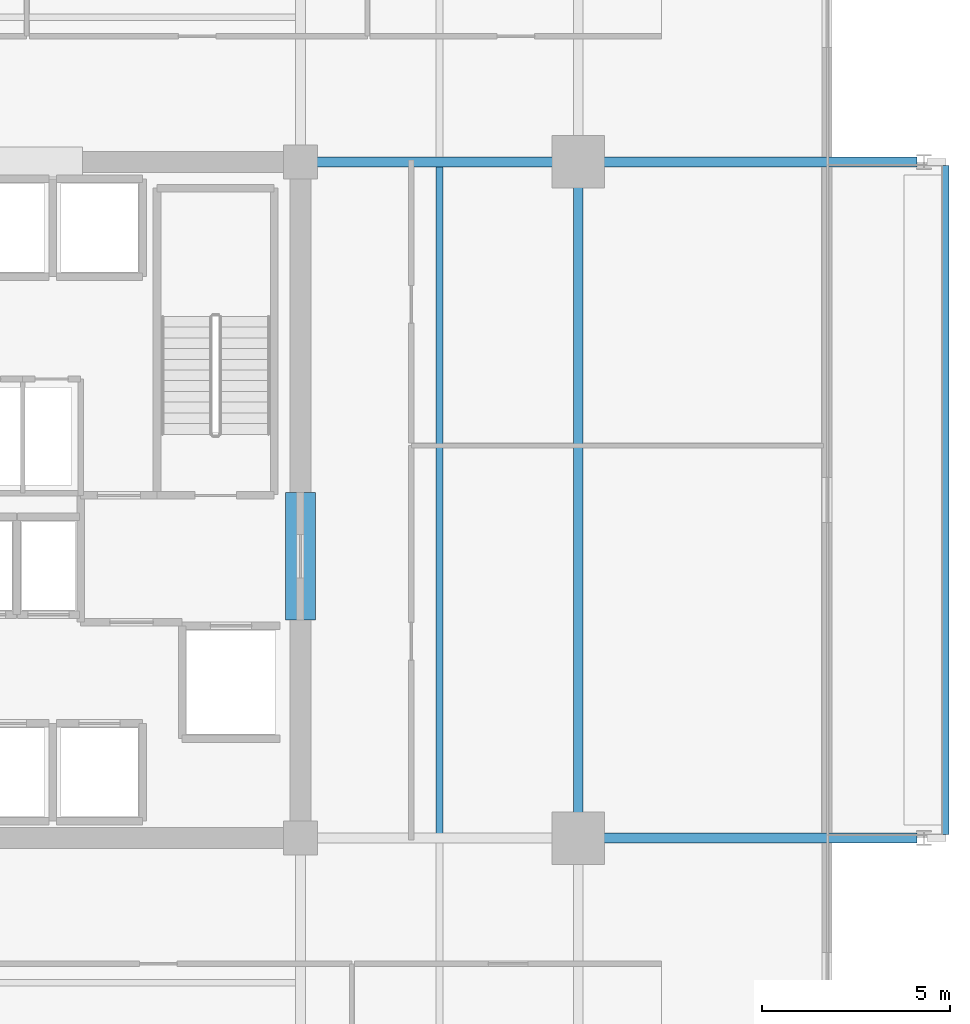
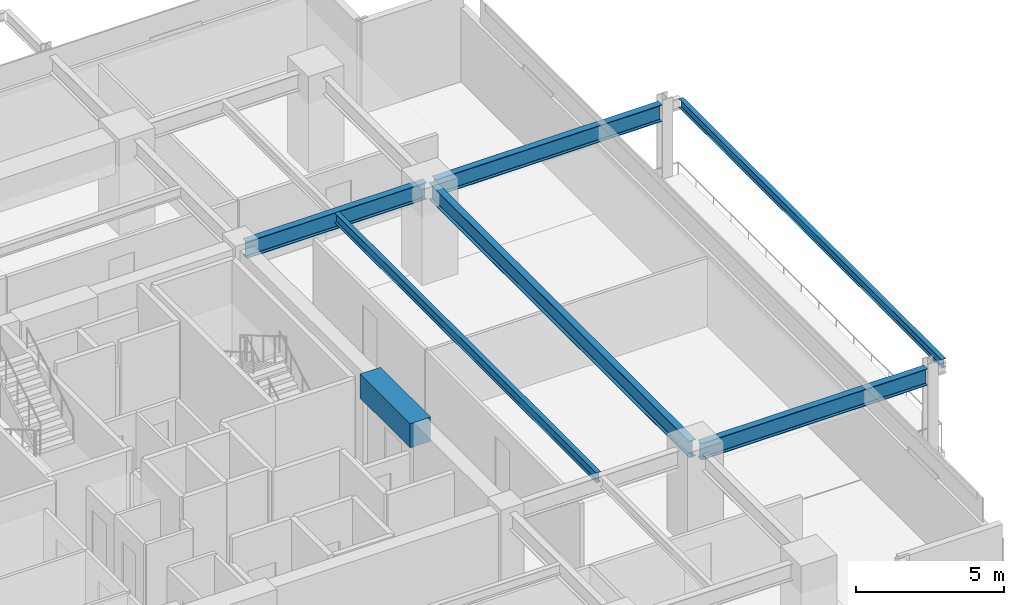
# One storey, part 10 of 21: 7 beams.
"""IFC4 building model written with IfcOpenShell, lengths in metres."""

from ifc_helpers import new_model, si_unit, direction, frame, origin, origin_2d, place, context, subcontext, project, spatial, rectangle, i_section, extrude, material, material_profile, profile_set, type_object, element, save


model = new_model("IFC4")

# Units and contexts
model_context = context("Model", 3, precision=1e-05, world=origin(), true_north=direction((0.0, 1.0)))
body_context = subcontext(model_context, "Body", "Model", "MODEL_VIEW")
ifc_project = project(units=[si_unit("LENGTHUNIT", "METRE"), si_unit("AREAUNIT", "SQUARE_METRE"), si_unit("VOLUMEUNIT", "CUBIC_METRE"), si_unit("PLANEANGLEUNIT", "RADIAN"), si_unit("MASSUNIT", "GRAM", prefix="KILO")], contexts=[model_context])

# Site, building, storey
site_placement = place(None, origin())
site = spatial("IfcSite", under=ifc_project, at=site_placement, CompositionType="ELEMENT")
building_placement = place(site_placement, origin())
building = spatial("IfcBuilding", under=site, at=building_placement, Name="Kovane Verandah Tower", CompositionType="ELEMENT")
storey_placement = place(building_placement, frame((0.0, 0.0, 209.199951171875)))
storey = spatial("IfcBuildingStorey", under=building, at=storey_placement, Name="L48", CompositionType="ELEMENT", Elevation=209.199951171875)

# Beams
ifc_material_1 = material(Name="Concrete C60/75", Category="concrete")
ifc_material_profile_1 = material_profile(ifc_material_1, rectangle(XDim=0.800048828125, YDim=1.0, at=origin_2d()), Name="RCB800x1000")
ifc_profile_set_1 = profile_set([ifc_material_profile_1], Name="Concrete C60/75")
beam_type_1 = type_object("IfcBeamType", Name="BM-LINTEL-800x1000", PredefinedType="LINTEL", material=ifc_profile_set_1)
beam_1_placement = place(storey_placement, frame((51.0, 24.300048828125, 3.275146484375), z_axis=(0.0, 1.0, 0.0), x_axis=(-1.0, 0.0, 0.0)))
element("IfcBeam", 1, at=beam_1_placement, inside=storey, type_object=beam_type_1, Name="L48 Core Coupling Lintel CL-E", PredefinedType="LINTEL", context=body_context, shape_type="SweptSolid", body=[
    extrude(rectangle(XDim=0.800048828125, YDim=1.0, at=origin_2d()), origin(), (0.0, 0.0, 1.0), 3.39990234375),
])
ifc_material_2 = material(Name="Steel S355", Category="steel")
ifc_material_profile_2 = material_profile(ifc_material_2, i_section(OverallWidth=0.255859375, OverallDepth=0.69287109375, WebThickness=0.014404296875, FlangeThickness=0.023681640625, FilletRadius=0.01513671875, at=origin_2d()), Name="UB686x254x170")
ifc_profile_set_2 = profile_set([ifc_material_profile_2], Name="Steel S355")
beam_type_2 = type_object("IfcBeamType", Name="BM-UB686x170", PredefinedType="BEAM", material=ifc_profile_set_2)
beam_2_placement = place(storey_placement, frame((58.39990234375, 18.679931640625, 3.428466796875), z_axis=(0.0, 1.0, 0.0), x_axis=(-1.0, 0.0, 0.0)))
element("IfcBeam", 2, at=beam_2_placement, inside=storey, type_object=beam_type_2, Name="L48 Primary Tower Girder G-RE2", PredefinedType="BEAM", context=body_context, shape_type="SweptSolid", body=[
    extrude(i_section(OverallWidth=0.255859375, OverallDepth=0.69287109375, WebThickness=0.014404296875, FlangeThickness=0.023681640625, FilletRadius=0.01513671875, at=origin_2d()), origin(), (0.0, 0.0, 1.0), 17.64013671875),
])
beam_3_placement = place(storey_placement, frame((51.179931640625, 36.5, 3.428466796875), z_axis=(1.0, 0.0, 0.0), x_axis=(0.0, 1.0, 0.0)))
element("IfcBeam", 3, at=beam_3_placement, inside=storey, type_object=beam_type_2, Name="L48 Primary Tower Girder G-E2", PredefinedType="BEAM", context=body_context, shape_type="SweptSolid", body=[
    extrude(i_section(OverallWidth=0.255859375, OverallDepth=0.69287109375, WebThickness=0.014404296875, FlangeThickness=0.023681640625, FilletRadius=0.01513671875, at=origin_2d()), origin(), (0.0, 0.0, 1.0), 7.0400390625),
])
for number, where, z_axis, x_axis, name in (
    (4, (58.580078125, 18.5, 3.41357421875), (1.0, 0.0, 0.0), (0.0, 1.0, 0.0), "L48 Primary Tower Girder G-VE1"),
    (5, (58.580078125, 36.5, 3.41357421875), (1.0, 0.0, 0.0), (0.0, 1.0, 0.0), "L48 Primary Tower Girder G-VE2"),
):
    element("IfcBeam", number, at=place(storey_placement, frame(where, z_axis=z_axis, x_axis=x_axis)), inside=storey, type_object=beam_type_2, Name=name, PredefinedType="BEAM", context=body_context, shape_type="SweptSolid", body=[
        extrude(i_section(OverallWidth=0.255859375, OverallDepth=0.69287109375, WebThickness=0.014404296875, FlangeThickness=0.023681640625, FilletRadius=0.01513671875, at=origin_2d()), origin(), (0.0, 0.0, 1.0), 8.83984375),
    ])
ifc_material_profile_3 = material_profile(ifc_material_2, i_section(OverallWidth=0.179443359375, OverallDepth=0.412841796875, WebThickness=0.009521484375, FlangeThickness=0.01611328125, FilletRadius=0.01025390625, at=origin_2d()), Name="UB406x178x74")
ifc_profile_set_3 = profile_set([ifc_material_profile_3], Name="Steel S355")
beam_type_3 = type_object("IfcBeamType", Name="JST-UB406x74", PredefinedType="JOIST", material=ifc_profile_set_3)
beam_4_placement = place(storey_placement, frame((54.699951171875, 18.6259765625, 3.568603515625), z_axis=(0.0, 1.0, 0.0), x_axis=(-1.0, 0.0, 0.0)))
element("IfcBeam", 6, at=beam_4_placement, inside=storey, type_object=beam_type_3, Name="L48 Secondary Composite Joist J-E1", PredefinedType="JOIST", context=body_context, shape_type="SweptSolid", body=[
    extrude(i_section(OverallWidth=0.179443359375, OverallDepth=0.412841796875, WebThickness=0.009521484375, FlangeThickness=0.01611328125, FilletRadius=0.01025390625, at=origin_2d()), origin(), (0.0, 0.0, 1.0), 17.748046875),
])
ifc_material_profile_4 = material_profile(ifc_material_2, i_section(OverallWidth=0.173095703125, OverallDepth=0.36328125, WebThickness=0.009033203125, FlangeThickness=0.015625, FilletRadius=0.01025390625, at=origin_2d()), Name="UB356x171x67")
ifc_profile_set_4 = profile_set([ifc_material_profile_4], Name="Steel S355")
beam_type_4 = type_object("IfcBeamType", Name="SPD-UB356x67", PredefinedType="USERDEFINED", material=ifc_profile_set_4)
beam_5_placement = place(storey_placement, frame((68.181640625, 18.594482421875, 3.578369140625), z_axis=(0.0, 1.0, 0.0), x_axis=(-1.0, 0.0, 0.0)))
element("IfcBeam", 7, at=beam_5_placement, inside=storey, type_object=beam_type_4, Name="L48 East Planter Edge Spandrel", ObjectType="SPANDREL", PredefinedType="USERDEFINED", context=body_context, shape_type="SweptSolid", body=[
    extrude(i_section(OverallWidth=0.173095703125, OverallDepth=0.36328125, WebThickness=0.009033203125, FlangeThickness=0.015625, FilletRadius=0.01025390625, at=origin_2d()), origin(), (0.0, 0.0, 1.0), 17.81103515625),
])

save(model, "model.ifc")
